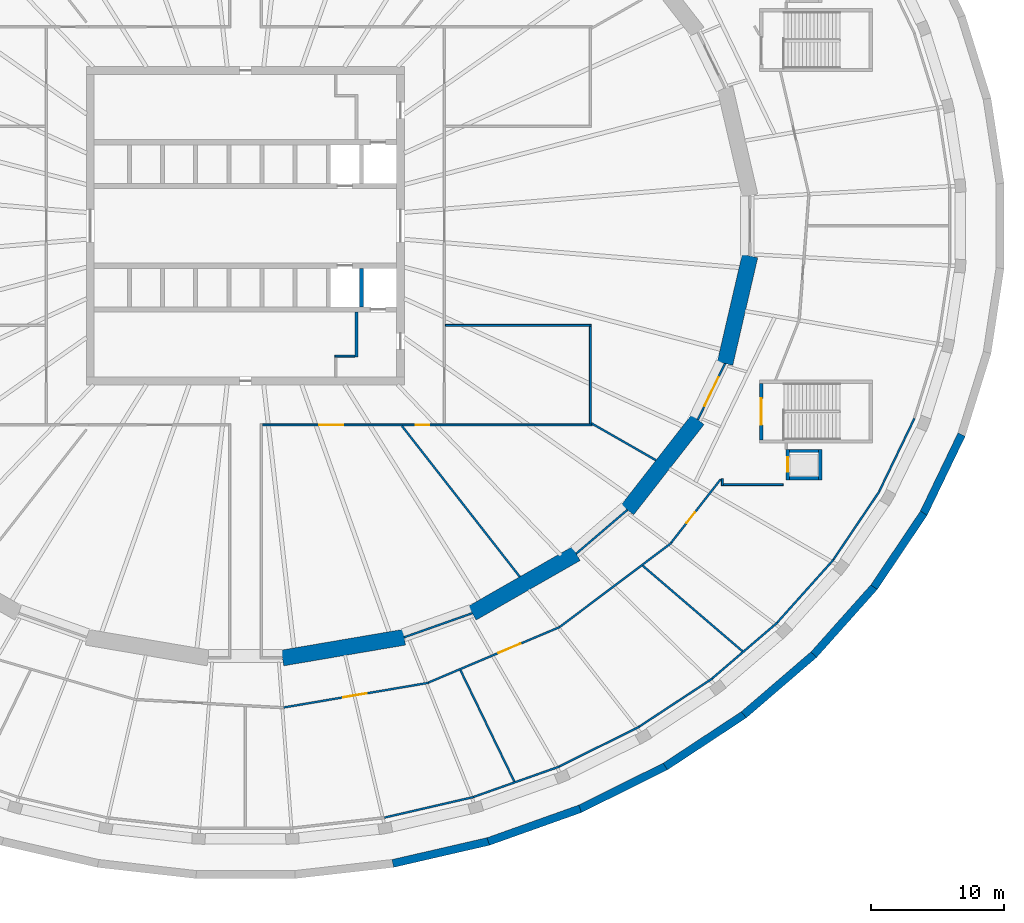
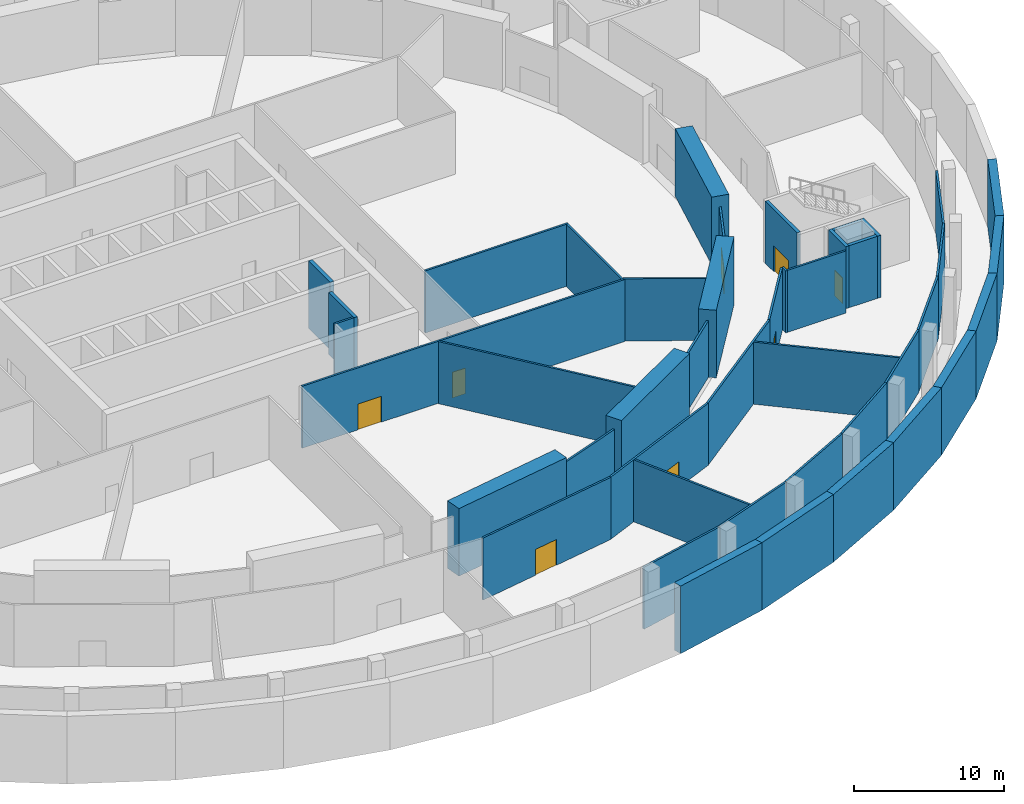
# One storey, part 8 of 14: 44 walls, 8 doors, 8 openings.
"""IFC4 building model written with IfcOpenShell, lengths in metres."""

from ifc_helpers import new_model, si_unit, direction, frame, frame_2d, origin, place, context, subcontext, project, spatial, polyline, rectangle, outline, extrude, material, layer, layer_set, type_object, element, fill, save


model = new_model("IFC4")

# Units and contexts
model_context = context("Model", 3, precision=1e-05, world=origin(), true_north=direction((0.0, 1.0)))
body_context = subcontext(model_context, "Body", "Model", "MODEL_VIEW")
ifc_project = project(units=[si_unit("LENGTHUNIT", "METRE"), si_unit("AREAUNIT", "SQUARE_METRE"), si_unit("VOLUMEUNIT", "CUBIC_METRE"), si_unit("PLANEANGLEUNIT", "RADIAN"), si_unit("MASSUNIT", "GRAM", prefix="KILO")], contexts=[model_context])

# Site, building, storey
site_placement = place(None, origin())
site = spatial("IfcSite", under=ifc_project, at=site_placement, CompositionType="ELEMENT")
building_placement = place(site_placement, origin())
building = spatial("IfcBuilding", under=site, at=building_placement, Name="Halqa Exchange Tower", CompositionType="ELEMENT")
storey_placement = place(building_placement, frame((0.0, 0.0, -9.5)))
storey = spatial("IfcBuildingStorey", under=building, at=storey_placement, Name="B2", CompositionType="ELEMENT", Elevation=-9.5)

# Wall, openings, doors
ifc_material_1 = material(Name="Fire-rated gypsum board")
ifc_layer_1 = layer(ifc_material_1, 0.14990234375)
ifc_layer_set_1 = layer_set([ifc_layer_1], Name="Fire-rated gypsum board")
wall_type_1 = type_object("IfcWallType", Name="Fire partition EI 60 150", PredefinedType="PARTITIONING", material=ifc_layer_set_1)
wall_1_placement = place(storey_placement, frame((1.27490234375, -15.0, 0.0), z_axis=(0.0, 0.0, 1.0), x_axis=(1.0, 0.0, 0.0)))
wall_1 = element("IfcWall", 1, at=wall_1_placement, inside=storey, type_object=wall_type_1, Name="B2-PWL-079", PredefinedType="PARTITIONING", context=body_context, shape_type="SweptSolid", body=[
    extrude(rectangle(XDim=24.85498046875, YDim=0.14990234375, at=frame_2d((12.427490234375, 0.0))), origin(), (0.0, 0.0, 1.0), 5.050048828125),
])
opening_1_placement = place(wall_1_placement, frame((4.2939453125, 0.0, 0.0)))
opening_1 = element("IfcOpeningElement", 2, at=opening_1_placement, cuts=wall_1, Name="Opening B2-05", PredefinedType="OPENING", context=body_context, shape_type="SweptSolid", body=[
    extrude(rectangle(XDim=1.800048828125, YDim=2.10009765625, at=frame_2d((0.89990234375, 1.050048828125))), frame((0.0, 0.0869140625, 0.0), z_axis=(0.0, -1.0, 0.0), x_axis=(1.0, 0.0, 0.0)), (0.0, 0.0, 1.0), 0.173828125),
])
opening_2_placement = place(wall_1_placement, frame((11.574951171875, 0.0, 0.0)))
opening_2 = element("IfcOpeningElement", 3, at=opening_2_placement, cuts=wall_1, Name="Opening B2-06", PredefinedType="OPENING", context=body_context, shape_type="SweptSolid", body=[
    extrude(rectangle(XDim=1.0, YDim=2.10009765625, at=frame_2d((0.5, 1.050048828125))), frame((0.0, 0.0869140625, 0.0), z_axis=(0.0, -1.0, 0.0), x_axis=(1.0, 0.0, 0.0)), (0.0, 0.0, 1.0), 0.173828125),
])
ifc_material_2 = material(Name="Steel fire door leaf", Category="steel")
door_type_1 = type_object("IfcDoorType", Name="Fire door FD30S 1000 x 2100", OperationType="SINGLE_SWING_LEFT", PredefinedType="DOOR", material=ifc_material_2)
door_1_placement = place(opening_2_placement, origin())
door_1 = element("IfcDoor", 4, at=door_1_placement, inside=storey, type_object=door_type_1, Name="B2-IDR-006", OperationType="SINGLE_SWING_LEFT", OverallHeight=2.10009765625, OverallWidth=1.0, PredefinedType="DOOR", context=body_context, shape_type="SweptSolid", body=[
    extrude(rectangle(XDim=1.0, YDim=2.10009765625, at=frame_2d((0.5, 1.050048828125))), frame((0.0, 0.02490234375, 0.0), z_axis=(0.0, -1.0, 0.0), x_axis=(1.0, 0.0, 0.0)), (0.0, 0.0, 1.0), 0.050048828125),
])
fill(opening_2, door_1)
door_type_2 = type_object("IfcDoorType", Name="Fire door FD30S double 1800 x 2100", OperationType="DOUBLE_DOOR_SINGLE_SWING", PredefinedType="DOOR", material=ifc_material_2)
door_2_placement = place(opening_1_placement, origin())
door_2 = element("IfcDoor", 5, at=door_2_placement, inside=storey, type_object=door_type_2, Name="B2-IDR-005", OperationType="DOUBLE_DOOR_SINGLE_SWING", OverallHeight=2.10009765625, OverallWidth=1.800048828125, PredefinedType="DOOR", context=body_context, shape_type="SweptSolid", body=[
    extrude(rectangle(XDim=1.800048828125, YDim=2.10009765625, at=frame_2d((0.89990234375, 1.050048828125))), frame((0.0, 0.02490234375, 0.0), z_axis=(0.0, -1.0, 0.0), x_axis=(1.0, 0.0, 0.0)), (0.0, 0.0, 1.0), 0.050048828125),
])
fill(opening_1, door_2)

# Walls
wall_2_placement = place(storey_placement, frame((11.7880859375, -15.074462890625, 0.0), z_axis=(0.0, 0.0, 1.0), x_axis=(0.615848120598, -0.787864894735, 0.0)))
element("IfcWall", 6, at=wall_2_placement, inside=storey, type_object=wall_type_1, Name="B2-PWL-087", PredefinedType="PARTITIONING", context=body_context, shape_type="SweptSolid", body=[
    extrude(outline(polyline([(0.0, -0.074951171875), (14.427734375, -0.074951171875), (14.44921875, 0.074951171875), (0.0, 0.074951171875), (0.0, -0.074951171875)])), origin(), (0.0, 0.0, 1.0), 5.050048828125),
])
wall_3_placement = place(storey_placement, frame((11.966796875, -31.01123046875, 0.0), z_axis=(0.0, 0.0, 1.0), x_axis=(0.942814385805, 0.333318217204, 0.0)))
element("IfcWall", 7, at=wall_3_placement, inside=storey, type_object=wall_type_1, Name="B2-PWL-089", PredefinedType="PARTITIONING", context=body_context, shape_type="SweptSolid", body=[
    extrude(outline(polyline([(-0.012939453125, -0.074951171875), (5.448486328125, -0.074951171875), (5.421142578125, 0.074951171875), (0.012939453125, 0.074951171875), (-0.012939453125, -0.074951171875)])), origin(), (0.0, 0.0, 1.0), 4.60009765625),
])

# Wall, opening, door
wall_4_placement = place(storey_placement, frame((13.80712890625, -34.443603515625, 0.0), z_axis=(0.0, 0.0, 1.0), x_axis=(-0.985802701022, -0.167907815955, 0.0)))
wall_4 = element("IfcWall", 8, at=wall_4_placement, inside=storey, type_object=wall_type_1, Name="B2-PWL-090", PredefinedType="PARTITIONING", context=body_context, shape_type="SweptSolid", body=[
    extrude(rectangle(XDim=11.07666015625, YDim=0.14990234375, at=frame_2d((5.538330078125, 0.0))), origin(), (0.0, 0.0, 1.0), 5.050048828125),
])
opening_3_placement = place(wall_4_placement, frame((4.737060546875, 0.0, 0.0)))
opening_3 = element("IfcOpeningElement", 9, at=opening_3_placement, cuts=wall_4, Name="Opening B2-33", PredefinedType="OPENING", context=body_context, shape_type="SweptSolid", body=[
    extrude(rectangle(XDim=1.800048828125, YDim=2.10009765625, at=frame_2d((0.89990234375, 1.050048828125))), frame((0.0, 0.0869140625, 0.0), z_axis=(0.0, -1.0, 0.0), x_axis=(1.0, 0.0, 0.0)), (0.0, 0.0, 1.0), 0.173828125),
])
door_3_placement = place(opening_3_placement, origin())
door_3 = element("IfcDoor", 10, at=door_3_placement, inside=storey, type_object=door_type_2, Name="B2-IDR-033", OperationType="DOUBLE_DOOR_SINGLE_SWING", OverallHeight=2.10009765625, OverallWidth=1.800048828125, PredefinedType="DOOR", context=body_context, shape_type="SweptSolid", body=[
    extrude(rectangle(XDim=1.800048828125, YDim=2.10009765625, at=frame_2d((0.89990234375, 1.050048828125))), frame((0.0, 0.02490234375, 0.0), z_axis=(0.0, -1.0, 0.0), x_axis=(1.0, 0.0, 0.0)), (0.0, 0.0, 1.0), 0.050048828125),
])
fill(opening_3, door_3)

wall_5_placement = place(storey_placement, frame((13.802490234375, -34.4208984375, 0.0), z_axis=(0.0, 0.0, 1.0), x_axis=(0.921072890143, 0.389390204094, 0.0)))
wall_5 = element("IfcWall", 11, at=wall_5_placement, inside=storey, type_object=wall_type_1, Name="B2-PWL-091", PredefinedType="PARTITIONING", context=body_context, shape_type="SweptSolid", body=[
    extrude(rectangle(XDim=10.745849609375, YDim=0.14990234375, at=frame_2d((5.373046875, 0.0))), origin(), (0.0, 0.0, 1.0), 5.050048828125),
])
opening_4_placement = place(wall_5_placement, frame((5.733154296875, 0.0, 0.0)))
opening_4 = element("IfcOpeningElement", 12, at=opening_4_placement, cuts=wall_5, Name="Opening B2-34", PredefinedType="OPENING", context=body_context, shape_type="SweptSolid", body=[
    extrude(rectangle(XDim=1.800048828125, YDim=2.10009765625, at=frame_2d((0.89990234375, 1.050048828125))), frame((0.0, 0.0869140625, 0.0), z_axis=(0.0, -1.0, 0.0), x_axis=(1.0, 0.0, 0.0)), (0.0, 0.0, 1.0), 0.173828125),
])
door_4_placement = place(opening_4_placement, origin())
door_4 = element("IfcDoor", 13, at=door_4_placement, inside=storey, type_object=door_type_2, Name="B2-IDR-034", OperationType="DOUBLE_DOOR_SINGLE_SWING", OverallHeight=2.10009765625, OverallWidth=1.800048828125, PredefinedType="DOOR", context=body_context, shape_type="SweptSolid", body=[
    extrude(rectangle(XDim=1.800048828125, YDim=2.10009765625, at=frame_2d((0.89990234375, 1.050048828125))), frame((0.0, 0.02490234375, 0.0), z_axis=(0.0, -1.0, 0.0), x_axis=(1.0, 0.0, 0.0)), (0.0, 0.0, 1.0), 0.050048828125),
])
fill(opening_4, door_4)

# Walls
wall_6_placement = place(storey_placement, frame((15.074951171875, -7.5, 0.0), z_axis=(0.0, 0.0, 1.0), x_axis=(1.0, 0.0, 0.0)))
element("IfcWall", 14, at=wall_6_placement, inside=storey, type_object=wall_type_1, Name="B2-PWL-093", PredefinedType="PARTITIONING", context=body_context, shape_type="SweptSolid", body=[
    extrude(rectangle(XDim=11.0, YDim=0.14990234375, at=frame_2d((5.5, 0.0))), origin(), (0.0, 0.0, 1.0), 5.050048828125),
])
wall_7_placement = place(storey_placement, frame((16.202392578125, -33.487060546875, 0.0), z_axis=(0.0, 0.0, 1.0), x_axis=(0.435783992342, -0.900051282994, 0.0)))
element("IfcWall", 15, at=wall_7_placement, inside=storey, type_object=wall_type_1, Name="B2-PWL-094", PredefinedType="PARTITIONING", context=body_context, shape_type="SweptSolid", body=[
    extrude(outline(polyline([(-0.00390625, -0.074951171875), (9.3173828125, -0.074951171875), (9.333984375, 0.074951171875), (0.00390625, 0.074951171875), (-0.00390625, -0.074951171875)])), origin(), (0.0, 0.0, 1.0), 5.050048828125),
])
wall_8_placement = place(storey_placement, frame((17.21337890625, -43.05078125, 0.0), z_axis=(0.0, 0.0, 1.0), x_axis=(-0.974487031509, -0.224443813504, 0.0)))
element("IfcWall", 16, at=wall_8_placement, inside=storey, type_object=wall_type_1, Name="B2-PWL-097", PredefinedType="PARTITIONING", context=body_context, shape_type="SweptSolid", body=[
    extrude(rectangle(XDim=6.90625, YDim=0.14990234375, at=frame_2d((3.453125, 0.0))), origin(), (0.0, 0.0, 1.0), 5.050048828125),
])
wall_9_placement = place(storey_placement, frame((17.210693359375, -43.04150390625, 0.0), z_axis=(0.0, 0.0, 1.0), x_axis=(0.94266330093, 0.333745263757, 0.0)))
element("IfcWall", 17, at=wall_9_placement, inside=storey, type_object=wall_type_1, Name="B2-PWL-098", PredefinedType="PARTITIONING", context=body_context, shape_type="SweptSolid", body=[
    extrude(rectangle(XDim=6.83154296875, YDim=0.14990234375, at=frame_2d((3.415771484375, 0.0))), origin(), (0.0, 0.0, 1.0), 5.050048828125),
])
wall_10_placement = place(storey_placement, frame((23.696044921875, -30.22802734375, 0.0), z_axis=(0.0, 0.0, 1.0), x_axis=(0.799195100787, 0.601071701944, 0.0)))
element("IfcWall", 18, at=wall_10_placement, inside=storey, type_object=wall_type_1, Name="B2-PWL-102", PredefinedType="PARTITIONING", context=body_context, shape_type="SweptSolid", body=[
    extrude(rectangle(XDim=10.528564453125, YDim=0.14990234375, at=frame_2d((5.26416015625, 0.0))), origin(), (0.0, 0.0, 1.0), 5.050048828125),
])
wall_11_placement = place(storey_placement, frame((24.931884765625, -24.70849609375, 0.0), z_axis=(0.0, 0.0, 1.0), x_axis=(0.760084552743, 0.649824185978, 0.0)))
element("IfcWall", 19, at=wall_11_placement, inside=storey, type_object=wall_type_1, Name="B2-PWL-103", PredefinedType="PARTITIONING", context=body_context, shape_type="SweptSolid", body=[
    extrude(outline(polyline([(-0.01416015625, -0.074951171875), (5.09033203125, -0.074951171875), (5.0595703125, 0.074951171875), (0.01416015625, 0.074951171875), (-0.01416015625, -0.074951171875)])), origin(), (0.0, 0.0, 1.0), 4.60009765625),
])
wall_12_placement = place(storey_placement, frame((26.0, -14.925048828125, 0.0), z_axis=(0.0, 0.0, 1.0), x_axis=(0.0, 1.0, 0.0)))
element("IfcWall", 20, at=wall_12_placement, inside=storey, type_object=wall_type_1, Name="B2-PWL-104", PredefinedType="PARTITIONING", context=body_context, shape_type="SweptSolid", body=[
    extrude(rectangle(XDim=7.35107421875, YDim=0.14990234375, at=frame_2d((3.675537109375, 0.0))), origin(), (0.0, 0.0, 1.0), 5.050048828125),
])
wall_13_placement = place(storey_placement, frame((26.07421875, -14.88232421875, 0.0), z_axis=(0.0, 0.0, 1.0), x_axis=(0.868133416031, -0.496330909746, 0.0)))
element("IfcWall", 21, at=wall_13_placement, inside=storey, type_object=wall_type_1, Name="B2-PWL-105", PredefinedType="PARTITIONING", context=body_context, shape_type="SweptSolid", body=[
    extrude(outline(polyline([(0.0, -0.074951171875), (5.604248046875, -0.074951171875), (5.625732421875, 0.074951171875), (0.0, 0.074951171875), (0.0, -0.074951171875)])), origin(), (0.0, 0.0, 1.0), 5.050048828125),
])
wall_14_placement = place(storey_placement, frame((29.676513671875, -37.761962890625, 0.0), z_axis=(0.0, 0.0, 1.0), x_axis=(-0.895909442692, -0.444236727991, 0.0)))
element("IfcWall", 22, at=wall_14_placement, inside=storey, type_object=wall_type_1, Name="B2-PWL-111", PredefinedType="PARTITIONING", context=body_context, shape_type="SweptSolid", body=[
    extrude(rectangle(XDim=6.730712890625, YDim=0.14990234375, at=frame_2d((3.365234375, 0.0))), origin(), (0.0, 0.0, 1.0), 5.050048828125),
])
wall_15_placement = place(storey_placement, frame((29.947265625, -25.619140625, 0.0), z_axis=(0.0, 0.0, 1.0), x_axis=(0.759265306208, -0.650781218836, 0.0)))
element("IfcWall", 23, at=wall_15_placement, inside=storey, type_object=wall_type_1, Name="B2-PWL-113", PredefinedType="PARTITIONING", context=body_context, shape_type="SweptSolid", body=[
    extrude(outline(polyline([(-0.0166015625, -0.074951171875), (9.888427734375, -0.074951171875), (9.911376953125, 0.074951171875), (0.0166015625, 0.074951171875), (-0.0166015625, -0.074951171875)])), origin(), (0.0, 0.0, 1.0), 5.050048828125),
])

# Wall, opening, door
wall_16_placement = place(storey_placement, frame((32.09375, -23.87841796875, 0.0), z_axis=(0.0, 0.0, 1.0), x_axis=(0.615450256232, 0.788175730472, 0.0)))
wall_16 = element("IfcWall", 24, at=wall_16_placement, inside=storey, type_object=wall_type_1, Name="B2-PWL-115", PredefinedType="PARTITIONING", context=body_context, shape_type="SweptSolid", body=[
    extrude(outline(polyline([(0.0, -0.074951171875), (6.097412109375, -0.074951171875), (6.030029296875, 0.074951171875), (0.0, 0.074951171875), (0.0, -0.074951171875)])), origin(), (0.0, 0.0, 1.0), 5.050048828125),
])
opening_5_placement = place(wall_16_placement, frame((1.886962890625, 0.0, 0.0)))
opening_5 = element("IfcOpeningElement", 25, at=opening_5_placement, cuts=wall_16, Name="Opening B2-35", PredefinedType="OPENING", context=body_context, shape_type="SweptSolid", body=[
    extrude(rectangle(XDim=1.0, YDim=2.10009765625, at=frame_2d((0.5, 1.050048828125))), frame((0.0, 0.0869140625, 0.0), z_axis=(0.0, -1.0, 0.0), x_axis=(1.0, 0.0, 0.0)), (0.0, 0.0, 1.0), 0.173828125),
])
door_5_placement = place(opening_5_placement, frame((1.0, 0.0, 0.0), z_axis=(0.0, 0.0, 1.0), x_axis=(-1.0, 0.0, 0.0)))
door_5 = element("IfcDoor", 26, at=door_5_placement, inside=storey, type_object=door_type_1, Name="B2-IDR-035", OperationType="SINGLE_SWING_RIGHT", OverallHeight=2.10009765625, OverallWidth=1.0, PredefinedType="DOOR", context=body_context, shape_type="SweptSolid", body=[
    extrude(rectangle(XDim=1.0, YDim=2.10009765625, at=frame_2d((0.5, 1.050048828125))), frame((0.0, 0.02490234375, 0.0), z_axis=(0.0, -1.0, 0.0), x_axis=(1.0, 0.0, 0.0)), (0.0, 0.0, 1.0), 0.050048828125),
])
fill(opening_5, door_5)

# Walls
wall_17_placement = place(storey_placement, frame((35.19140625, -34.123046875, 0.0), z_axis=(0.0, 0.0, 1.0), x_axis=(-0.83553583791, -0.549435950378, 0.0)))
element("IfcWall", 27, at=wall_17_placement, inside=storey, type_object=wall_type_1, Name="B2-PWL-117", PredefinedType="PARTITIONING", context=body_context, shape_type="SweptSolid", body=[
    extrude(rectangle(XDim=6.6064453125, YDim=0.14990234375, at=frame_2d((3.30322265625, 0.0))), origin(), (0.0, 0.0, 1.0), 5.050048828125),
])
wall_18_placement = place(storey_placement, frame((35.184814453125, -34.1142578125, 0.0), z_axis=(0.0, 0.0, 1.0), x_axis=(0.759033312601, 0.651051787773, 0.0)))
element("IfcWall", 28, at=wall_18_placement, inside=storey, type_object=wall_type_1, Name="B2-PWL-118", PredefinedType="PARTITIONING", context=body_context, shape_type="SweptSolid", body=[
    extrude(rectangle(XDim=6.484375, YDim=0.14990234375, at=frame_2d((3.2421875, 0.0))), origin(), (0.0, 0.0, 1.0), 5.050048828125),
])
wall_19_placement = place(storey_placement, frame((35.949951171875, -19.574951171875, 0.0), z_axis=(0.0, 0.0, 1.0), x_axis=(0.0, 1.0, 0.0)))
element("IfcWall", 29, at=wall_19_placement, inside=storey, type_object=wall_type_1, Name="B2-PWL-121", PredefinedType="PARTITIONING", context=body_context, shape_type="SweptSolid", body=[
    extrude(rectangle(XDim=0.513916015625, YDim=0.14990234375, at=frame_2d((0.2568359375, 0.0))), origin(), (0.0, 0.0, 1.0), 5.050048828125),
])

# Wall, opening, door
wall_20_placement = place(storey_placement, frame((36.14990234375, -10.3798828125, 0.0), z_axis=(0.0, 0.0, 1.0), x_axis=(-0.436102687495, -0.899896908518, 0.0)))
wall_20 = element("IfcWall", 30, at=wall_20_placement, inside=storey, type_object=wall_type_1, Name="B2-PWL-123", PredefinedType="PARTITIONING", context=body_context, shape_type="SweptSolid", body=[
    extrude(outline(polyline([(0.01708984375, -0.074951171875), (4.68310546875, -0.074951171875), (4.71533203125, 0.074951171875), (-0.01708984375, 0.074951171875), (0.01708984375, -0.074951171875)])), origin(), (0.0, 0.0, 1.0), 4.60009765625),
])
opening_6_placement = place(wall_20_placement, frame((1.150390625, 0.0, 0.0)))
opening_6 = element("IfcOpeningElement", 31, at=opening_6_placement, cuts=wall_20, Name="Opening B2-15", PredefinedType="OPENING", context=body_context, shape_type="SweptSolid", body=[
    extrude(rectangle(XDim=2.39990234375, YDim=2.10009765625, at=frame_2d((1.199951171875, 1.050048828125))), frame((0.0, 0.0869140625, 0.0), z_axis=(0.0, -1.0, 0.0), x_axis=(1.0, 0.0, 0.0)), (0.0, 0.0, 1.0), 0.173828125),
])
door_type_3 = type_object("IfcDoorType", Name="Fire door FD60S double 2400 x 2100", OperationType="DOUBLE_DOOR_SINGLE_SWING", PredefinedType="DOOR", material=ifc_material_2)
door_6_placement = place(opening_6_placement, origin())
door_6 = element("IfcDoor", 32, at=door_6_placement, inside=storey, type_object=door_type_3, Name="B2-IDR-015", OperationType="DOUBLE_DOOR_SINGLE_SWING", OverallHeight=2.10009765625, OverallWidth=2.39990234375, PredefinedType="DOOR", context=body_context, shape_type="SweptSolid", body=[
    extrude(rectangle(XDim=2.39990234375, YDim=2.10009765625, at=frame_2d((1.199951171875, 1.050048828125))), frame((0.0, 0.02490234375, 0.0), z_axis=(0.0, -1.0, 0.0), x_axis=(1.0, 0.0, 0.0)), (0.0, 0.0, 1.0), 0.050048828125),
])
fill(opening_6, door_6)

# Walls
wall_21_placement = place(storey_placement, frame((40.52490234375, -19.5, 0.0), z_axis=(0.0, 0.0, 1.0), x_axis=(-1.0, 0.0, 0.0)))
element("IfcWall", 33, at=wall_21_placement, inside=storey, type_object=wall_type_1, Name="B2-PWL-129", PredefinedType="PARTITIONING", context=body_context, shape_type="SweptSolid", body=[
    extrude(rectangle(XDim=4.5, YDim=0.14990234375, at=frame_2d((2.25, 0.0))), origin(), (0.0, 0.0, 1.0), 5.050048828125),
])
wall_22_placement = place(storey_placement, frame((44.32861328125, -25.16455078125, 0.0), z_axis=(0.0, 0.0, 1.0), x_axis=(-0.6673947824, -0.744704105283, 0.0)))
element("IfcWall", 34, at=wall_22_placement, inside=storey, type_object=wall_type_1, Name="B2-PWL-133", PredefinedType="PARTITIONING", context=body_context, shape_type="SweptSolid", body=[
    extrude(rectangle(XDim=6.338134765625, YDim=0.14990234375, at=frame_2d((3.1689453125, 0.0))), origin(), (0.0, 0.0, 1.0), 5.050048828125),
])
wall_23_placement = place(storey_placement, frame((47.789306640625, -20.007080078125, 0.0), z_axis=(0.0, 0.0, 1.0), x_axis=(-0.558812320082, -0.829294152231, 0.0)))
element("IfcWall", 35, at=wall_23_placement, inside=storey, type_object=wall_type_1, Name="B2-PWL-135", PredefinedType="PARTITIONING", context=body_context, shape_type="SweptSolid", body=[
    extrude(rectangle(XDim=6.2099609375, YDim=0.14990234375, at=frame_2d((3.10498046875, 0.0))), origin(), (0.0, 0.0, 1.0), 5.050048828125),
])
wall_24_placement = place(storey_placement, frame((50.42822265625, -14.5107421875, 0.0), z_axis=(0.0, 0.0, 1.0), x_axis=(-0.434690826011, -0.900579749818, 0.0)))
element("IfcWall", 36, at=wall_24_placement, inside=storey, type_object=wall_type_1, Name="B2-PWL-137", PredefinedType="PARTITIONING", context=body_context, shape_type="SweptSolid", body=[
    extrude(rectangle(XDim=6.095947265625, YDim=0.14990234375, at=frame_2d((3.0478515625, 0.0))), origin(), (0.0, 0.0, 1.0), 5.050048828125),
])
ifc_material_3 = material(Name="Gypsum board")
ifc_layer_2 = layer(ifc_material_3, 0.14990234375)
ifc_layer_set_2 = layer_set([ifc_layer_2], Name="Gypsum board")
wall_type_2 = type_object("IfcWallType", Name="Penthouse riser wall 150 gypsum", PredefinedType="PARTITIONING", material=ifc_layer_set_2)
wall_25_placement = place(storey_placement, frame((6.75, -9.824951171875, 0.0), z_axis=(0.0, 0.0, 1.0), x_axis=(1.0, 0.0, 0.0)))
element("IfcWall", 37, at=wall_25_placement, inside=storey, type_object=wall_type_2, Name="Firefighting lobby return wall S", PredefinedType="PARTITIONING", context=body_context, shape_type="SweptSolid", body=[
    extrude(rectangle(XDim=1.5, YDim=0.14990234375, at=frame_2d((0.75, 0.0))), origin(), (0.0, 0.0, 1.0), 5.050048828125),
])

# Wall, opening, door
ifc_layer_3 = layer(ifc_material_3, 0.25)
ifc_layer_set_3 = layer_set([ifc_layer_3], Name="Gypsum board")
wall_type_3 = type_object("IfcWallType", Name="Penthouse riser wall 250 gypsum", PredefinedType="PARTITIONING", material=ifc_layer_set_3)
wall_26_placement = place(storey_placement, frame((40.875, -19.14990234375, 0.0), z_axis=(0.0, 0.0, 1.0), x_axis=(0.0, 1.0, 0.0)))
wall_26 = element("IfcWall", 38, at=wall_26_placement, inside=storey, type_object=wall_type_3, Name="Station lift AL2 wall west", PredefinedType="PARTITIONING", context=body_context, shape_type="SweptSolid", body=[
    extrude(rectangle(XDim=2.2998046875, YDim=0.25, at=frame_2d((1.14990234375, 0.0))), origin(), (0.0, 0.0, 1.0), 5.050048828125),
])
opening_7_placement = place(wall_26_placement, frame((0.60009765625, 0.0, 0.0)))
opening_7 = element("IfcOpeningElement", 39, at=opening_7_placement, cuts=wall_26, Name="Opening LD-AL2-B2", PredefinedType="OPENING", context=body_context, shape_type="SweptSolid", body=[
    extrude(rectangle(XDim=1.10009765625, YDim=2.10009765625, at=frame_2d((0.550048828125, 1.050048828125))), frame((0.0, 0.136962890625, 0.0), z_axis=(0.0, -1.0, 0.0), x_axis=(1.0, 0.0, 0.0)), (0.0, 0.0, 1.0), 0.27392578125),
])
ifc_material_4 = material(Name="Stainless steel", Category="steel")
door_type_4 = type_object("IfcDoorType", Name="Lift landing door 1100 x 2100", OperationType="SLIDING_TO_LEFT", PredefinedType="DOOR", material=ifc_material_4)
door_7_placement = place(opening_7_placement, origin())
door_7 = element("IfcDoor", 40, at=door_7_placement, inside=storey, type_object=door_type_4, Name="Lift landing door AL2", OperationType="SLIDING_TO_LEFT", OverallHeight=2.10009765625, OverallWidth=1.10009765625, PredefinedType="DOOR", context=body_context, shape_type="SweptSolid", body=[
    extrude(rectangle(XDim=1.10009765625, YDim=2.10009765625, at=frame_2d((0.550048828125, 1.050048828125))), frame((0.0, 0.02490234375, 0.0), z_axis=(0.0, -1.0, 0.0), x_axis=(1.0, 0.0, 0.0)), (0.0, 0.0, 1.0), 0.050048828125),
])
fill(opening_7, door_7)

# Walls
wall_27_placement = place(storey_placement, frame((43.324951171875, -19.14990234375, 0.0), z_axis=(0.0, 0.0, 1.0), x_axis=(0.0, 1.0, 0.0)))
element("IfcWall", 41, at=wall_27_placement, inside=storey, type_object=wall_type_3, Name="Station lift AL2 wall east", PredefinedType="PARTITIONING", context=body_context, shape_type="SweptSolid", body=[
    extrude(rectangle(XDim=2.2998046875, YDim=0.25, at=frame_2d((1.14990234375, 0.0))), origin(), (0.0, 0.0, 1.0), 5.050048828125),
])
for number, where, z_axis, x_axis, name in (
    (42, (41.0, -16.97509765625, 0.0), (0.0, 0.0, 1.0), (1.0, 0.0, 0.0), "Station lift AL2 wall north"),
    (43, (41.0, -19.02490234375, 0.0), (0.0, 0.0, 1.0), (1.0, 0.0, 0.0), "Station lift AL2 wall south"),
):
    element("IfcWall", number, at=place(storey_placement, frame(where, z_axis=z_axis, x_axis=x_axis)), inside=storey, type_object=wall_type_3, Name=name, PredefinedType="PARTITIONING", context=body_context, shape_type="SweptSolid", body=[
        extrude(rectangle(XDim=2.199951171875, YDim=0.25, at=frame_2d((1.10009765625, 0.0))), origin(), (0.0, 0.0, 1.0), 5.050048828125),
    ])
ifc_material_5 = material(Name="Concrete C40/50", Category="concrete")
ifc_layer_4 = layer(ifc_material_5, 0.60009765625)
ifc_layer_set_4 = layer_set([ifc_layer_4], Name="Concrete C40/50")
wall_type_4 = type_object("IfcWallType", Name="RC basement wall 600", PredefinedType="SOLIDWALL", material=ifc_layer_set_4)
wall_28_placement = place(storey_placement, frame((11.103515625, -48.062255859375, 0.0), z_axis=(0.0, 0.0, 1.0), x_axis=(0.974485322097, 0.224451235276, 0.0)))
element("IfcWall", 44, at=wall_28_placement, inside=storey, type_object=wall_type_4, Name="Basement retaining wall", PredefinedType="SOLIDWALL", context=body_context, shape_type="SweptSolid", body=[
    extrude(rectangle(XDim=7.4248046875, YDim=0.60009765625, at=frame_2d((3.71240234375, 0.0))), origin(), (0.0, 0.0, 1.0), 5.5),
])
wall_29_placement = place(storey_placement, frame((18.3056640625, -46.405517578125, 0.0), z_axis=(0.0, 0.0, 1.0), x_axis=(0.942060991409, 0.33544163198, 0.0)))
element("IfcWall", 45, at=wall_29_placement, inside=storey, type_object=wall_type_4, Name="Basement retaining wall", PredefinedType="SOLIDWALL", context=body_context, shape_type="SweptSolid", body=[
    extrude(rectangle(XDim=7.347412109375, YDim=0.60009765625, at=frame_2d((3.673828125, 0.0))), origin(), (0.0, 0.0, 1.0), 5.5),
])
wall_30_placement = place(storey_placement, frame((25.194580078125, -43.95458984375, 0.0), z_axis=(0.0, 0.0, 1.0), x_axis=(0.895750986496, 0.44455614965, 0.0)))
element("IfcWall", 46, at=wall_30_placement, inside=storey, type_object=wall_type_4, Name="Basement retaining wall", PredefinedType="SOLIDWALL", context=body_context, shape_type="SweptSolid", body=[
    extrude(rectangle(XDim=7.244873046875, YDim=0.60009765625, at=frame_2d((3.62255859375, 0.0))), origin(), (0.0, 0.0, 1.0), 5.5),
])
wall_31_placement = place(storey_placement, frame((31.652099609375, -40.752197265625, 0.0), z_axis=(0.0, 0.0, 1.0), x_axis=(0.834745196239, 0.550636411215, 0.0)))
element("IfcWall", 47, at=wall_31_placement, inside=storey, type_object=wall_type_4, Name="Basement retaining wall", PredefinedType="SOLIDWALL", context=body_context, shape_type="SweptSolid", body=[
    extrude(rectangle(XDim=7.123779296875, YDim=0.60009765625, at=frame_2d((3.56201171875, 0.0))), origin(), (0.0, 0.0, 1.0), 5.5),
])
wall_32_placement = place(storey_placement, frame((37.568115234375, -36.8525390625, 0.0), z_axis=(0.0, 0.0, 1.0), x_axis=(0.758319142722, 0.65188348482, 0.0)))
element("IfcWall", 48, at=wall_32_placement, inside=storey, type_object=wall_type_4, Name="Basement retaining wall", PredefinedType="SOLIDWALL", context=body_context, shape_type="SweptSolid", body=[
    extrude(rectangle(XDim=6.991455078125, YDim=0.60009765625, at=frame_2d((3.49560546875, 0.0))), origin(), (0.0, 0.0, 1.0), 5.5),
])
wall_33_placement = place(storey_placement, frame((42.841796875, -32.32275390625, 0.0), z_axis=(0.0, 0.0, 1.0), x_axis=(0.665894053378, 0.74604631872, 0.0)))
element("IfcWall", 49, at=wall_33_placement, inside=storey, type_object=wall_type_4, Name="Basement retaining wall", PredefinedType="SOLIDWALL", context=body_context, shape_type="SweptSolid", body=[
    extrude(rectangle(XDim=6.8564453125, YDim=0.60009765625, at=frame_2d((3.42822265625, 0.0))), origin(), (0.0, 0.0, 1.0), 5.5),
])
wall_34_placement = place(storey_placement, frame((47.38232421875, -27.239990234375, 0.0), z_axis=(0.0, 0.0, 1.0), x_axis=(0.557518861869, 0.830164272093, 0.0)))
element("IfcWall", 50, at=wall_34_placement, inside=storey, type_object=wall_type_4, Name="Basement retaining wall", PredefinedType="SOLIDWALL", context=body_context, shape_type="SweptSolid", body=[
    extrude(rectangle(XDim=6.728515625, YDim=0.60009765625, at=frame_2d((3.3642578125, 0.0))), origin(), (0.0, 0.0, 1.0), 5.5),
])
wall_35_placement = place(storey_placement, frame((51.1123046875, -21.69140625, 0.0), z_axis=(0.0, 0.0, 1.0), x_axis=(0.434104041315, 0.900862742772, 0.0)))
element("IfcWall", 51, at=wall_35_placement, inside=storey, type_object=wall_type_4, Name="Basement retaining wall", PredefinedType="SOLIDWALL", context=body_context, shape_type="SweptSolid", body=[
    extrude(rectangle(XDim=6.61669921875, YDim=0.60009765625, at=frame_2d((3.308349609375, 0.0))), origin(), (0.0, 0.0, 1.0), 5.5),
])
ifc_material_6 = material(Name="Concrete C60/75", Category="concrete")
ifc_layer_5 = layer(ifc_material_6, 0.300048828125)
ifc_layer_set_5 = layer_set([ifc_layer_5], Name="Concrete C60/75")
wall_type_5 = type_object("IfcWallType", Name="RC core wall 300", PredefinedType="SHEAR", material=ifc_layer_set_5)
wall_36_placement = place(storey_placement, frame((8.75, -6.10009765625, 0.0), z_axis=(0.0, 0.0, 1.0), x_axis=(0.0, 1.0, 0.0)))
element("IfcWall", 52, at=wall_36_placement, inside=storey, type_object=wall_type_5, Name="Shaft divider S8", PredefinedType="SHEAR", context=body_context, shape_type="SweptSolid", body=[
    extrude(rectangle(XDim=2.900146484375, YDim=0.300048828125, at=frame_2d((1.4501953125, 0.0))), origin(), (0.0, 0.0, 1.0), 5.5),
])
ifc_material_7 = material(Name="Concrete C80/95", Category="concrete")
ifc_layer_6 = layer(ifc_material_7, 1.199951171875)
ifc_layer_set_6 = layer_set([ifc_layer_6], Name="Concrete C80/95")
wall_type_6 = type_object("IfcWallType", Name="RC ring pier 1200 C80/95", PredefinedType="SHEAR", material=ifc_layer_set_6)
wall_37_placement = place(storey_placement, frame((2.7880859375, -32.57421875, 0.0), z_axis=(0.0, 0.0, 1.0), x_axis=(0.985776286846, 0.168062822456, 0.0)))
element("IfcWall", 53, at=wall_37_placement, inside=storey, type_object=wall_type_6, Name="Ring pier 13", PredefinedType="SHEAR", context=body_context, shape_type="SweptSolid", body=[
    extrude(rectangle(XDim=9.3115234375, YDim=1.199951171875, at=frame_2d((4.65576171875, 0.0))), origin(), (0.0, 0.0, 1.0), 5.5),
])
wall_38_placement = place(storey_placement, frame((17.088623046875, -29.197509765625, 0.0), z_axis=(0.0, 0.0, 1.0), x_axis=(0.867760656864, 0.496982336103, 0.0)))
element("IfcWall", 54, at=wall_38_placement, inside=storey, type_object=wall_type_6, Name="Ring pier 14", PredefinedType="SHEAR", context=body_context, shape_type="SweptSolid", body=[
    extrude(rectangle(XDim=9.037841796875, YDim=1.199951171875, at=frame_2d((4.51904296875, 0.0))), origin(), (0.0, 0.0, 1.0), 5.5),
])
wall_39_placement = place(storey_placement, frame((28.790283203125, -21.412353515625, 0.0), z_axis=(0.0, 0.0, 1.0), x_axis=(0.614825322247, 0.788663314174, 0.0)))
element("IfcWall", 55, at=wall_39_placement, inside=storey, type_object=wall_type_6, Name="Ring pier 15", PredefinedType="SHEAR", context=body_context, shape_type="SweptSolid", body=[
    extrude(rectangle(XDim=8.631591796875, YDim=1.199951171875, at=frame_2d((4.31591796875, 0.0))), origin(), (0.0, 0.0, 1.0), 5.5),
])
wall_40_placement = place(storey_placement, frame((36.14892578125, -10.38037109375, 0.0), z_axis=(0.0, 0.0, 1.0), x_axis=(0.226058185805, 0.974113800657, 0.0)))
element("IfcWall", 56, at=wall_40_placement, inside=storey, type_object=wall_type_6, Name="Ring pier 16", PredefinedType="SHEAR", context=body_context, shape_type="SweptSolid", body=[
    extrude(rectangle(XDim=8.328857421875, YDim=1.199951171875, at=frame_2d((4.16455078125, 0.0))), origin(), (0.0, 0.0, 1.0), 5.5),
])
ifc_material_8 = material(Name="Concrete C30/37", Category="concrete")
ifc_layer_7 = layer(ifc_material_8, 0.25)
ifc_layer_set_7 = layer_set([ifc_layer_7], Name="Concrete C30/37")
wall_type_7 = type_object("IfcWallType", Name="RC stair wall 250 C30/37", PredefinedType="SHEAR", material=ifc_layer_set_7)
wall_41_placement = place(storey_placement, frame((8.375, -9.89990234375, 0.0), z_axis=(0.0, 0.0, 1.0), x_axis=(0.0, 1.0, 0.0)))
element("IfcWall", 57, at=wall_41_placement, inside=storey, type_object=wall_type_7, Name="Stair ST2 east wall S", PredefinedType="SHEAR", context=body_context, shape_type="SweptSolid", body=[
    extrude(rectangle(XDim=3.39990234375, YDim=0.25, at=frame_2d((1.699951171875, 0.0))), origin(), (0.0, 0.0, 1.0), 5.050048828125),
])

# Wall, opening, door
wall_42_placement = place(storey_placement, frame((38.875, -16.125, 0.0), z_axis=(0.0, 0.0, 1.0), x_axis=(0.0, 1.0, 0.0)))
wall_42 = element("IfcWall", 58, at=wall_42_placement, inside=storey, type_object=wall_type_7, Name="Stair SS2 wall west", PredefinedType="SHEAR", context=body_context, shape_type="SweptSolid", body=[
    extrude(rectangle(XDim=4.25, YDim=0.25, at=frame_2d((2.125, 0.0))), origin(), (0.0, 0.0, 1.0), 5.050048828125),
])
opening_8_placement = place(wall_42_placement, frame((1.125, 0.0, 0.0)))
opening_8 = element("IfcOpeningElement", 59, at=opening_8_placement, cuts=wall_42, Name="Opening B2-C12", PredefinedType="OPENING", context=body_context, shape_type="SweptSolid", body=[
    extrude(rectangle(XDim=2.0, YDim=2.10009765625, at=frame_2d((1.0, 1.050048828125))), frame((0.0, 0.136962890625, 0.0), z_axis=(0.0, -1.0, 0.0), x_axis=(1.0, 0.0, 0.0)), (0.0, 0.0, 1.0), 0.27392578125),
])
door_type_5 = type_object("IfcDoorType", Name="Station stair double door FD90 2000 x 2100", OperationType="DOUBLE_DOOR_SINGLE_SWING", PredefinedType="DOOR", material=ifc_material_2)
door_8_placement = place(opening_8_placement, frame((2.0, 0.0, 0.0), z_axis=(0.0, 0.0, 1.0), x_axis=(-1.0, 0.0, 0.0)))
door_8 = element("IfcDoor", 60, at=door_8_placement, inside=storey, type_object=door_type_5, Name="Core room door", OperationType="DOUBLE_DOOR_SINGLE_SWING", OverallHeight=2.10009765625, OverallWidth=2.0, PredefinedType="DOOR", context=body_context, shape_type="SweptSolid", body=[
    extrude(rectangle(XDim=2.0, YDim=2.10009765625, at=frame_2d((1.0, 1.050048828125))), frame((0.0, 0.02490234375, 0.0), z_axis=(0.0, -1.0, 0.0), x_axis=(1.0, 0.0, 0.0)), (0.0, 0.0, 1.0), 0.050048828125),
])
fill(opening_8, door_8)

save(model, "model.ifc")
